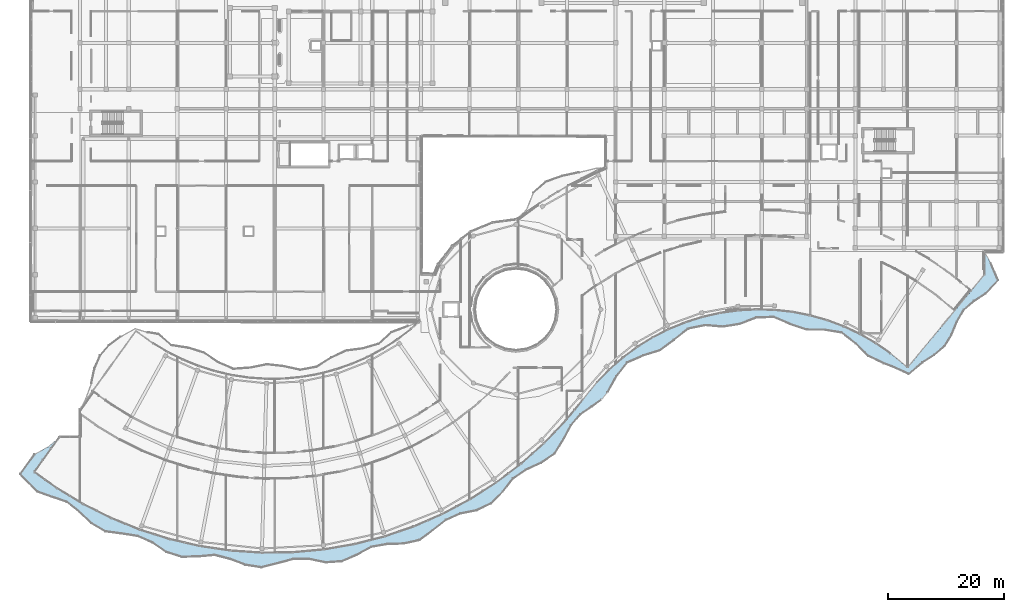
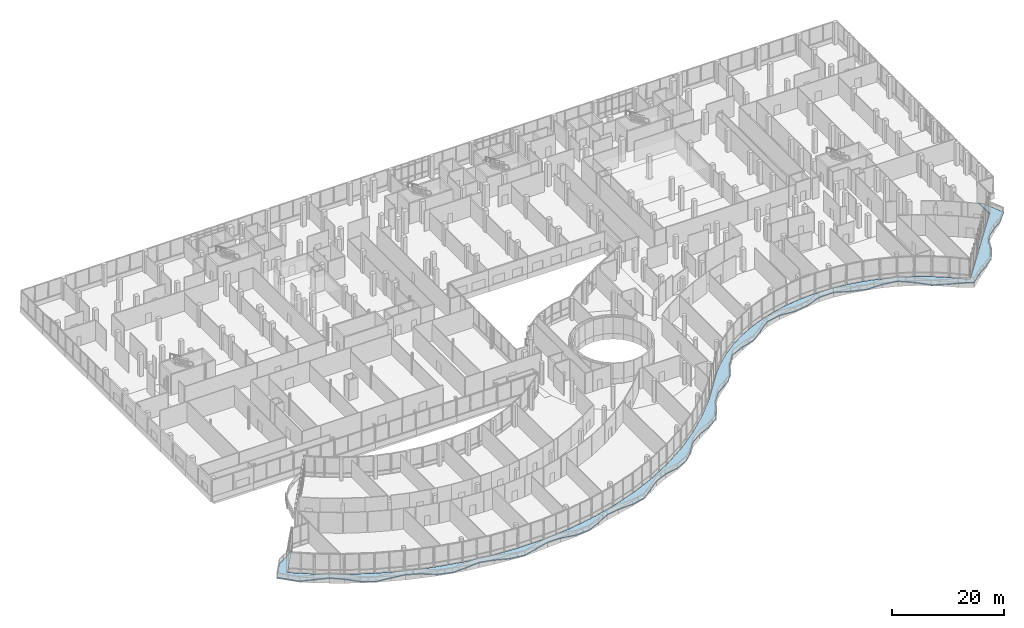
# One storey, part 118 of 155: 1 slab.
"""IFC4 building model written with IfcOpenShell, lengths in metres."""

from ifc_helpers import new_model, si_unit, direction, frame, origin, place, context, subcontext, project, spatial, polyline, outline, extrude, material, layer, layer_set, type_object, element, save


model = new_model("IFC4")

# Units and contexts
model_context = context("Model", 3, precision=1e-05, world=origin(), true_north=direction((0.0, 1.0)))
body_context = subcontext(model_context, "Body", "Model", "MODEL_VIEW")
ifc_project = project(units=[si_unit("LENGTHUNIT", "METRE"), si_unit("AREAUNIT", "SQUARE_METRE"), si_unit("VOLUMEUNIT", "CUBIC_METRE"), si_unit("PLANEANGLEUNIT", "RADIAN"), si_unit("MASSUNIT", "GRAM", prefix="KILO")], contexts=[model_context])

# Site, building, storey
site_placement = place(None, origin())
site = spatial("IfcSite", under=ifc_project, at=site_placement, CompositionType="ELEMENT")
building_placement = place(site_placement, origin())
building = spatial("IfcBuilding", under=site, at=building_placement, Name="Selatvlak General Hospital", CompositionType="ELEMENT")
storey_placement = place(building_placement, frame((0.0, 0.0, 10.199951171875)))
storey = spatial("IfcBuildingStorey", under=building, at=storey_placement, Name="L02", CompositionType="ELEMENT", Elevation=10.199951171875)

# Slab
ifc_material = material(Name="Concrete C40/50", Category="concrete")
ifc_layer = layer(ifc_material, 0.22509765625, Name="Concrete C40/50", Category="concrete")
ifc_layer_set = layer_set([ifc_layer], Name="Concrete C40/50")
slab_type = type_object("IfcSlabType", Name="SLAB-SL-BL2", PredefinedType="FLOOR", material=ifc_layer_set)
slab_placement = place(storey_placement, frame((0.0, 0.0, -0.224853515625)))
element("IfcSlab", 1, at=slab_placement, inside=storey, type_object=slab_type, Name="L02 S-curve sunshade balcony 1", PredefinedType="FLOOR", context=body_context, shape_type="SweptSolid", body=[
    extrude(outline(polyline([(177.02587890625, 55.428955078125), (175.258056640625, 53.89892578125), (174.069091796875, 51.887939453125), (173.1650390625, 49.64306640625), (171.952880859375, 47.652099609375), (170.162109375, 46.14111328125), (168.126953125, 44.83203125), (165.784912109375, 42.846923828125), (163.18896484375, 44.031005859375), (161.4580078125, 44.695068359375), (158.76806640625, 45.97412109375), (156.610107421875, 48.095947265625), (154.193115234375, 49.985107421875), (151.18505859375, 50.487060546875), (148.14111328125, 50.5029296875), (145.35107421875, 51.445068359375), (142.49609375, 52.678955078125), (139.489013671875, 52.593017578125), (136.593017578125, 51.47998046875), (133.715087890625, 51.011962890625), (130.6298828125, 51.277099609375), (127.680908203125, 50.656982421875), (125.2509765625, 48.72998046875), (122.8740234375, 46.955078125), (119.993896484375, 46.0458984375), (117.181884765625, 44.818115234375), (115.30908203125, 42.4130859375), (113.833984375, 39.720947265625), (112.7109375, 38.409912109375), (111.14697265625, 37.277099609375), (109.097900390625, 35.876953125), (107.51806640625, 34.032958984375), (106.178955078125, 31.5400390625), (104.68310546875, 29.115966796875), (102.35595703125, 27.5419921875), (99.759033203125, 26.343994140625), (97.487060546875, 24.80908203125), (95.73291015625, 22.552978515625), (93.740966796875, 20.54296875), (91.218994140625, 19.343017578125), (88.382080078125, 18.777099609375), (85.886962890625, 17.656005859375), (83.6708984375, 15.903076171875), (81.37109375, 14.2060546875), (78.634033203125, 13.59912109375), (75.76904296875, 13.5048828125), (73.06494140625, 13.031982421875), (70.570068359375, 11.6669921875), (67.966064453125, 10.5419921875), (65.18505859375, 10.35107421875), (62.345947265625, 10.930908203125), (59.60400390625, 10.927001953125), (56.883056640625, 10.2060546875), (54.10693359375, 9.491943359375), (51.346923828125, 9.929931640625), (48.6689453125, 10.952880859375), (45.9990234375, 11.626953125), (43.175048828125, 11.37109375), (40.33203125, 11.304931640625), (37.677978515625, 12.14599609375), (35.283935546875, 13.780029296875), (32.77490234375, 14.89599609375), (30.0029296875, 15.322021484375), (27.155029296875, 15.7041015625), (24.751953125, 17.118896484375), (22.676025390625, 19.097900390625), (20.5029296875, 20.806884765625), (17.8291015625, 21.696044921875), (15.429931640625, 22.56689453125), (12.47607421875, 25.60009765625), (14.93896484375, 28.9970703125), (17.343017578125, 30.326904296875), (19.177001953125, 31.919921875), (19.2060546875, 31.919921875), (14.9150390625, 25.955078125), (18.7958984375, 23.172119140625), (23.389892578125, 20.39404296875), (28.18896484375, 17.990966796875), (33.1630859375, 15.97509765625), (38.280029296875, 14.362060546875), (43.511962890625, 13.159912109375), (48.821044921875, 12.3779296875), (54.176025390625, 12.02001953125), (59.54296875, 12.087890625), (64.887939453125, 12.5830078125), (70.176025390625, 13.5009765625), (75.37109375, 14.833984375), (80.449951171875, 16.576904296875), (85.3720703125, 18.719970703125), (90.10498046875, 21.2451171875), (94.626953125, 24.137939453125), (98.903076171875, 27.383056640625), (102.906982421875, 30.9541015625), (106.615966796875, 34.8349609375), (109.6279296875, 38.51611328125), (111.972900390625, 41.406005859375), (114.135009765625, 43.64501953125), (116.47509765625, 45.696044921875), (118.97705078125, 47.547119140625), (121.6220703125, 49.18310546875), (124.39794921875, 50.593994140625), (127.279052734375, 51.77099609375), (130.2451171875, 52.7041015625), (133.281982421875, 53.387939453125), (136.364990234375, 53.819091796875), (139.468994140625, 53.990966796875), (142.5810546875, 53.906005859375), (145.675048828125, 53.56298828125), (148.72998046875, 52.965087890625), (151.720947265625, 52.115966796875), (154.633056640625, 51.02099609375), (157.447021484375, 49.68896484375), (160.138916015625, 48.126953125), (162.69189453125, 46.34912109375), (165.55908203125, 43.9580078125), (178.803955078125, 59.945068359375), (178.804931640625, 63.919921875), (178.844970703125, 63.919921875), (179.928955078125, 61.97412109375), (181.194091796875, 59.02197265625), (179.06298828125, 56.736083984375), (177.02587890625, 55.428955078125)])), origin(), (0.0, 0.0, 1.0), 0.224853515625),
])

save(model, "model.ifc")
